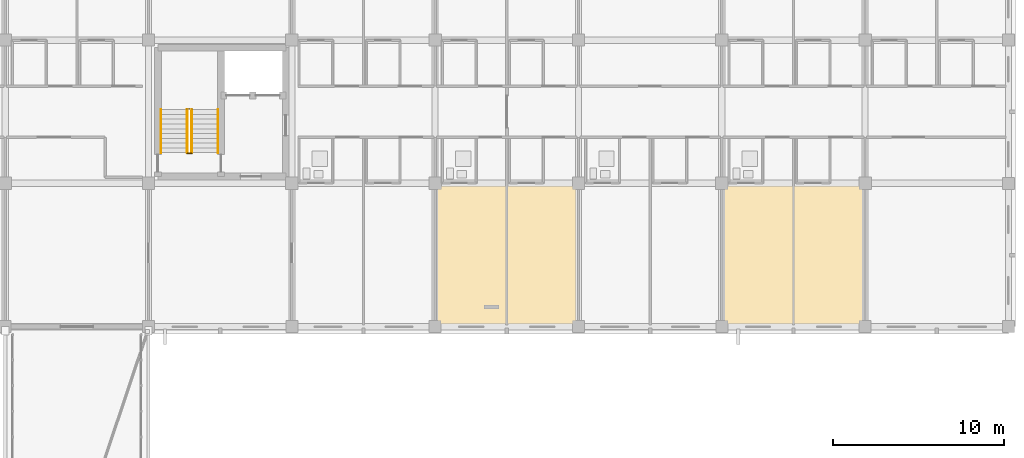
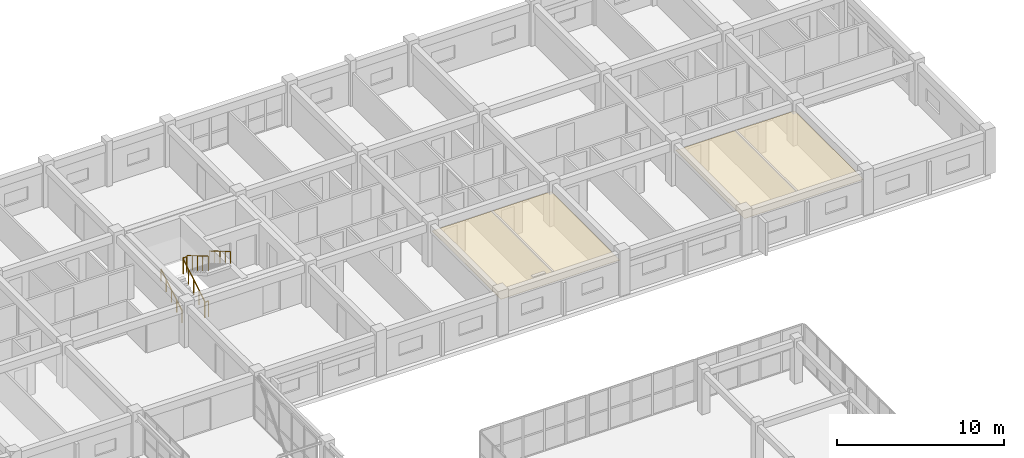
# One storey, part 146 of 148: 6 railings, 2 coverings.
"""IFC4 building model written with IfcOpenShell, lengths in metres."""

import ifcopenshell
import ifcopenshell.guid

model = None  # the IFC model being written
_history = None  # IfcOwnerHistory: only IFC2X3 demands one
_inside = {}  # id of a spatial element -> (the spatial element, [elements in it])
_under = {}  # id of a project, library or spatial element -> (it, [spatial elements below it])
_declared = {}  # id of a project -> (the project, [libraries it declares])
_typed = {}  # id of a type object -> (the type object, [elements of that type])
_made_of = {}  # id of a material, layer set ... -> (it, [elements and type objects made of it])


def new_model(schema):
    """Start an empty IFC model of exactly this schema.

    Asked for "IFC4X3", IfcOpenShell would pick the latest addendum, in which some entities
    have other attributes; the version numbers below select the first issue.
    IFC2X3 requires an IfcOwnerHistory on every rooted entity: one is made here for all.
    """
    global model, _history
    if schema == "IFC4X3":
        model = ifcopenshell.file(schema_version=(4, 3, 0, 0))
    else:
        model = ifcopenshell.file(schema=schema)
    _inside.clear()
    _under.clear()
    _declared.clear()
    _typed.clear()
    _made_of.clear()
    _history = None
    if model.schema == "IFC2X3":
        org = make("IfcOrganization", Name="unknown")
        user = make(
            "IfcPersonAndOrganization",
            ThePerson=make("IfcPerson", FamilyName="unknown"),
            TheOrganization=org,
        )
        app = make(
            "IfcApplication",
            ApplicationDeveloper=org,
            Version="unknown",
            ApplicationFullName="unknown",
            ApplicationIdentifier="unknown",
        )
        _history = make(
            "IfcOwnerHistory",
            OwningUser=user,
            OwningApplication=app,
            ChangeAction="ADDED",
            CreationDate=0,
        )
    return model


def make(cls, **values):
    """One entity of the class cls with the attributes given. An attribute that is None is left unset."""
    return model.create_entity(
        cls, **{name: value for name, value in values.items() if value is not None}
    )


def rooted(cls, **values):
    """An entity with a GlobalId (a new one), such as an element, a storey or a relation."""
    return make(cls, GlobalId=ifcopenshell.guid.new(), OwnerHistory=_history, **values)


def si_unit(unit_type, name, prefix=None):
    """IfcSIUnit, for example si_unit("LENGTHUNIT", "METRE", prefix="MILLI")."""
    return make("IfcSIUnit", UnitType=unit_type, Prefix=prefix, Name=name)


def assignment(units):
    """IfcUnitAssignment: the units of a project."""
    return None if units is None else make("IfcUnitAssignment", Units=units)


def point(xyz):
    """IfcCartesianPoint."""
    return None if xyz is None else make("IfcCartesianPoint", Coordinates=xyz)


def direction(xyz):
    """IfcDirection."""
    return None if xyz is None else make("IfcDirection", DirectionRatios=xyz)


def frame(location, z_axis=None, x_axis=None):
    """IfcAxis2Placement3D, a coordinate frame: its origin and axes. An axis left out is left unset."""
    return make(
        "IfcAxis2Placement3D",
        Location=point(location),
        Axis=direction(z_axis),
        RefDirection=direction(x_axis),
    )


def frame_2d(location, x_axis=None):
    """IfcAxis2Placement2D, a coordinate frame in the plane: its origin and x axis."""
    return make(
        "IfcAxis2Placement2D", Location=point(location), RefDirection=direction(x_axis)
    )


def origin():
    """The frame at (0, 0, 0) with its axes left unset."""
    return frame((0.0, 0.0, 0.0))


def origin_2d():
    """The frame at (0, 0) in the plane with its x axis left unset."""
    return frame_2d((0.0, 0.0))


def place(relative_to, where):
    """IfcLocalPlacement: puts the frame where relative to a parent placement (None: the world)."""
    return make(
        "IfcLocalPlacement", PlacementRelTo=relative_to, RelativePlacement=where
    )


def context(
    kind, dimensions, precision=None, world=None, true_north=None, identifier=None
):
    """IfcGeometricRepresentationContext, for example the 3D "Model" context."""
    return make(
        "IfcGeometricRepresentationContext",
        ContextIdentifier=identifier,
        ContextType=kind,
        CoordinateSpaceDimension=dimensions,
        Precision=precision,
        WorldCoordinateSystem=world,
        TrueNorth=true_north,
    )


def subcontext(parent, identifier, kind, view, scale=None):
    """IfcGeometricRepresentationSubContext, for example "Body" below "Model"."""
    return make(
        "IfcGeometricRepresentationSubContext",
        ContextIdentifier=identifier,
        ContextType=kind,
        ParentContext=parent,
        TargetScale=scale,
        TargetView=view,
    )


def project(units=None, contexts=None):
    """IfcProject with its units and contexts."""
    return rooted(
        "IfcProject",
        Name="project",
        RepresentationContexts=contexts,
        UnitsInContext=assignment(units),
    )


def spatial(cls, under=None, at=None, **own):
    """A site, building, storey or space (cls), placed at a placement, below another one or the project."""
    s = rooted(cls, ObjectPlacement=at, **own)
    if under is not None:
        _under.setdefault(under.id(), (under, []))[1].append(s)
    return s


def polyline(points):
    """IfcPolyline through the points."""
    return make("IfcPolyline", Points=[point(p) for p in points])


def profile(cls, at=None, kind="AREA", **sizes):
    """A parametric profile (cls). Its sizes go by their IFC names, for example OverallWidth=200.0."""
    return make(cls, ProfileType=kind, Position=at, **sizes)


def circle(**sizes):
    """IfcCircleProfileDef."""
    return profile("IfcCircleProfileDef", **sizes)


def outline(outer, holes=None, kind="AREA"):
    """IfcArbitraryClosedProfileDef: a profile drawn as a closed curve; with holes, ...WithVoids."""
    if holes is None:
        return make("IfcArbitraryClosedProfileDef", ProfileType=kind, OuterCurve=outer)
    return make(
        "IfcArbitraryProfileDefWithVoids",
        ProfileType=kind,
        OuterCurve=outer,
        InnerCurves=holes,
    )


def extrude(swept, where, along, depth):
    """IfcExtrudedAreaSolid: the profile swept, set in the frame where, extruded along a direction by depth."""
    return make(
        "IfcExtrudedAreaSolid",
        SweptArea=swept,
        Position=where,
        ExtrudedDirection=direction(along),
        Depth=depth,
    )


def shape(context_of_items, identifier, shape_type, items):
    """IfcShapeRepresentation: the items that make up one representation, for example the "Body"."""
    return make(
        "IfcShapeRepresentation",
        ContextOfItems=context_of_items,
        RepresentationIdentifier=identifier,
        RepresentationType=shape_type,
        Items=items,
    )


def material(Name=None, Category=None):
    """IfcMaterial."""
    return make("IfcMaterial", Name=Name, Category=Category)


def layer(
    of_material, thickness, ventilated=None, Name=None, Category=None, Priority=None
):
    """IfcMaterialLayer: one layer of a wall or slab, of a material (None: an air gap)."""
    return make(
        "IfcMaterialLayer",
        Material=of_material,
        LayerThickness=thickness,
        IsVentilated=ventilated,
        Name=Name,
        Category=Category,
        Priority=Priority,
    )


def layer_set(layers, Name=None):
    """IfcMaterialLayerSet."""
    return make("IfcMaterialLayerSet", MaterialLayers=layers, LayerSetName=Name)


def made_of(thing, what):
    """Note that an element or type object is made of a material, layer set ...; save() writes the relation."""
    if what is not None:
        _made_of.setdefault(what.id(), (what, []))[1].append(thing)
    return thing


def type_object(cls, material=None, **own):
    """A type object (cls), such as IfcWallType, which elements share."""
    return made_of(rooted(cls, **own), material)


def element(
    cls,
    number,
    at=None,
    inside=None,
    cuts=None,
    type_object=None,
    material=None,
    context=None,
    identifier="Body",
    shape_type=None,
    held_by="IfcProductDefinitionShape",
    body=None,
    shapes=None,
    **own,
):
    """One element of the class cls, such as IfcWall. Its Tag is "e" and its number.

    at: its placement. inside: the storey or other place that contains it. cuts: it is an
    opening in that element (IfcRelVoidsElement). A single representation is given by context,
    identifier, shape_type and body (its items); several are given by shapes. held_by: the class
    of the entity that holds the representations. save() writes the other relations.
    """
    e = rooted(cls, Tag="e%d" % number, ObjectPlacement=at, **own)
    if body is not None:
        shapes = [shape(context, identifier, shape_type, body)]
    if shapes is not None:
        e.Representation = make(held_by, Representations=shapes)
    if inside is not None:
        _inside.setdefault(inside.id(), (inside, []))[1].append(e)
    if cuts is not None:
        rooted(
            "IfcRelVoidsElement", RelatingBuildingElement=cuts, RelatedOpeningElement=e
        )
    if type_object is not None:
        _typed.setdefault(type_object.id(), (type_object, []))[1].append(e)
    return made_of(e, material)


def aggregate(whole, parts):
    """IfcRelAggregates: a whole, such as a stair, and the parts it consists of."""
    return rooted("IfcRelAggregates", RelatingObject=whole, RelatedObjects=parts)


def save(model, path):
    """Write the relations noted so far, then the file.

    IfcRelAggregates (storeys below a building ...), IfcRelContainedInSpatialStructure (elements
    in a storey), IfcRelDefinesByType, IfcRelAssociatesMaterial and IfcRelDeclares: one each for
    every whole, place, type object, material and project.
    """
    for whole, parts in _under.values():
        aggregate(whole, parts)
    for where, things in _inside.values():
        rooted(
            "IfcRelContainedInSpatialStructure",
            RelatedElements=things,
            RelatingStructure=where,
        )
    for kind, things in _typed.values():
        rooted("IfcRelDefinesByType", RelatedObjects=things, RelatingType=kind)
    for what, things in _made_of.values():
        rooted("IfcRelAssociatesMaterial", RelatedObjects=things, RelatingMaterial=what)
    for by, libraries in _declared.values():
        rooted("IfcRelDeclares", RelatingContext=by, RelatedDefinitions=libraries)
    model.write(path)


model = new_model("IFC4")

# Units and contexts
model_context = context("Model", 3, precision=1e-05, world=origin(), true_north=direction((0.0, 1.0)))
body_context = subcontext(model_context, "Body", "Model", "MODEL_VIEW")
ifc_project = project(units=[si_unit("LENGTHUNIT", "METRE"), si_unit("AREAUNIT", "SQUARE_METRE"), si_unit("VOLUMEUNIT", "CUBIC_METRE"), si_unit("PLANEANGLEUNIT", "RADIAN"), si_unit("MASSUNIT", "GRAM", prefix="KILO")], contexts=[model_context])

# Site, building, storey
site_placement = place(None, origin())
site = spatial("IfcSite", under=ifc_project, at=site_placement, CompositionType="ELEMENT")
building_placement = place(site_placement, origin())
building = spatial("IfcBuilding", under=site, at=building_placement, Name="Trelvath General Hospital", CompositionType="ELEMENT")
storey_placement = place(building_placement, frame((0.0, 0.0, 12.89990234375)))
storey = spatial("IfcBuildingStorey", under=building, at=storey_placement, Name="L03", CompositionType="ELEMENT", Elevation=12.89990234375)

# Coverings
ifc_material_1 = material(Name="Hygienic acoustic ceiling tile")
ifc_layer = layer(ifc_material_1, 0.02490234375)
ifc_layer_set = layer_set([ifc_layer], Name="Hygienic acoustic ceiling tile")
covering_type = type_object("IfcCoveringType", Name="Ceiling ClinicalAcoustic", PredefinedType="CEILING", material=ifc_layer_set)
covering_1_placement = place(storey_placement, frame((0.0, 0.0, 2.300048828125)))
element("IfcCovering", 1, at=covering_1_placement, inside=storey, type_object=covering_type, Name="Clinical Acoustic Ceiling L03-47", PredefinedType="CEILING", context=body_context, shape_type="SweptSolid", body=[
    extrude(outline(polyline([(100.89990234375, 92.5), (109.10009765625, 92.5), (109.10009765625, 100.719970703125), (100.89990234375, 100.719970703125), (100.89990234375, 92.5)])), origin(), (0.0, 0.0, 1.0), 0.025146484375),
])
covering_2_placement = place(storey_placement, frame((0.0, 0.0, 2.300048828125)))
element("IfcCovering", 2, at=covering_2_placement, inside=storey, type_object=covering_type, Name="Clinical Acoustic Ceiling L03-48", PredefinedType="CEILING", context=body_context, shape_type="SweptSolid", body=[
    extrude(outline(polyline([(117.699951171875, 92.5), (125.89990234375, 92.5), (125.89990234375, 100.719970703125), (117.699951171875, 100.719970703125), (117.699951171875, 92.5)])), origin(), (0.0, 0.0, 1.0), 0.025146484375),
])

# Railings
ifc_material_2 = material(Name="Architectural painted steel", Category="steel")
railing_type_1 = type_object("IfcRailingType", Name="Guardrail Terrace1150", PredefinedType="GUARDRAIL", material=ifc_material_2)
railing_1_placement = place(storey_placement, frame((86.27001953125, 102.56005859375, 0.0)))
element("IfcRailing", 3, at=railing_1_placement, inside=storey, type_object=railing_type_1, Name="Stair Well Edge Guard C2 L03 66", PredefinedType="GUARDRAIL", context=body_context, shape_type="SweptSolid", body=[
    extrude(circle(Radius=0.02392578125, at=origin_2d()), frame((0.0, 0.0, 1.1259765625), z_axis=(1.0, 0.0, 0.0), x_axis=(0.0, 1.0, 0.0)), (0.0, 0.0, 1.0), 0.260009765625),
    extrude(circle(Radius=0.02099609375, at=origin_2d()), origin(), (0.0, 0.0, 1.0), 1.099853515625),
    extrude(circle(Radius=0.02099609375, at=origin_2d()), frame((0.260009765625, 0.0, 0.0)), (0.0, 0.0, 1.0), 1.099853515625),
])
railing_2_placement = place(storey_placement, frame((86.530029296875, 105.1201171875, 1.815185546875)))
element("IfcRailing", 4, at=railing_2_placement, inside=storey, type_object=railing_type_1, Name="Stair Rail ST2 L03 F2 L 68", PredefinedType="GUARDRAIL", context=body_context, shape_type="SweptSolid", body=[
    extrude(circle(Radius=0.02392578125, at=origin_2d()), frame((0.0, 0.0, 1.076171875), z_axis=(0.0, -0.861560626758, 0.507654692109), x_axis=(1.0, 0.0, 0.0)), (0.0, 0.0, 1.0), 2.925048828125),
    extrude(circle(Radius=0.02099609375, at=origin_2d()), origin(), (0.0, 0.0, 1.0), 1.050048828125),
    extrude(circle(Radius=0.02099609375, at=origin_2d()), frame((0.0, -0.6298828125, 0.37109375)), (0.0, 0.0, 1.0), 1.050048828125),
    extrude(circle(Radius=0.02099609375, at=origin_2d()), frame((0.0, -1.260009765625, 0.742431640625)), (0.0, 0.0, 1.0), 1.050048828125),
    extrude(circle(Radius=0.02099609375, at=origin_2d()), frame((0.0, -1.89013671875, 1.11376953125)), (0.0, 0.0, 1.0), 1.050048828125),
    extrude(circle(Radius=0.02099609375, at=origin_2d()), frame((0.0, -2.52001953125, 1.48486328125)), (0.0, 0.0, 1.0), 1.050048828125),
])
railing_3_placement = place(storey_placement, frame((86.27001953125, 102.60009765625, 0.1650390625)))
element("IfcRailing", 5, at=railing_3_placement, inside=storey, type_object=railing_type_1, Name="Stair Rail ST2 L03 F1 R 69", PredefinedType="GUARDRAIL", context=body_context, shape_type="SweptSolid", body=[
    extrude(circle(Radius=0.02392578125, at=origin_2d()), frame((0.0, 0.0, 1.076171875), z_axis=(0.0, 0.86152411907, 0.507716645641), x_axis=(-1.0, 0.0, 0.0)), (0.0, 0.0, 1.0), 2.925048828125),
    extrude(circle(Radius=0.02099609375, at=origin_2d()), origin(), (0.0, 0.0, 1.0), 1.050048828125),
    extrude(circle(Radius=0.02099609375, at=origin_2d()), frame((0.0, 0.6298828125, 0.371337890625)), (0.0, 0.0, 1.0), 1.050048828125),
    extrude(circle(Radius=0.02099609375, at=origin_2d()), frame((0.0, 1.260009765625, 0.74267578125)), (0.0, 0.0, 1.0), 1.050048828125),
    extrude(circle(Radius=0.02099609375, at=origin_2d()), frame((0.0, 1.89013671875, 1.11376953125)), (0.0, 0.0, 1.0), 1.050048828125),
    extrude(circle(Radius=0.02099609375, at=origin_2d()), frame((0.0, 2.52001953125, 1.485107421875)), (0.0, 0.0, 1.0), 1.050048828125),
])
railing_4_placement = place(storey_placement, frame((86.27001953125, 105.159912109375, 1.650146484375)))
element("IfcRailing", 6, at=railing_4_placement, inside=storey, type_object=railing_type_1, Name="Half-Landing Well Guard ST2 L03 71", PredefinedType="GUARDRAIL", context=body_context, shape_type="SweptSolid", body=[
    extrude(circle(Radius=0.02392578125, at=origin_2d()), frame((0.0, 0.0, 1.1259765625), z_axis=(1.0, 0.0, 0.0), x_axis=(0.0, 1.0, 0.0)), (0.0, 0.0, 1.0), 0.260009765625),
    extrude(circle(Radius=0.02099609375, at=origin_2d()), origin(), (0.0, 0.0, 1.0), 1.099853515625),
    extrude(circle(Radius=0.02099609375, at=origin_2d()), frame((0.260009765625, 0.0, 0.0)), (0.0, 0.0, 1.0), 1.099853515625),
])
ifc_material_3 = material(Name="Brushed stainless steel", Category="steel")
railing_type_2 = type_object("IfcRailingType", Name="Handrail Stair900", PredefinedType="HANDRAIL", material=ifc_material_3)
railing_5_placement = place(storey_placement, frame((84.72998046875, 102.60009765625, 0.1650390625)))
element("IfcRailing", 7, at=railing_5_placement, inside=storey, type_object=railing_type_2, Name="Stair Rail ST2 L03 F1 L 67", PredefinedType="HANDRAIL", context=body_context, shape_type="SweptSolid", body=[
    extrude(circle(Radius=0.02392578125, at=origin_2d()), frame((0.0, 0.0, 0.8759765625), z_axis=(0.0, 0.86152411907, 0.507716645641), x_axis=(-1.0, 0.0, 0.0)), (0.0, 0.0, 1.0), 2.925048828125),
    extrude(circle(Radius=0.02099609375, at=origin_2d()), origin(), (0.0, 0.0, 1.0), 0.849853515625),
    extrude(circle(Radius=0.02099609375, at=origin_2d()), frame((0.0, 0.6298828125, 0.371337890625)), (0.0, 0.0, 1.0), 0.849853515625),
    extrude(circle(Radius=0.02099609375, at=origin_2d()), frame((0.0, 1.260009765625, 0.74267578125)), (0.0, 0.0, 1.0), 0.849853515625),
    extrude(circle(Radius=0.02099609375, at=origin_2d()), frame((0.0, 1.89013671875, 1.11376953125)), (0.0, 0.0, 1.0), 0.849853515625),
    extrude(circle(Radius=0.02099609375, at=origin_2d()), frame((0.0, 2.52001953125, 1.485107421875)), (0.0, 0.0, 1.0), 0.849853515625),
])
railing_6_placement = place(storey_placement, frame((88.070068359375, 105.1201171875, 1.815185546875)))
element("IfcRailing", 8, at=railing_6_placement, inside=storey, type_object=railing_type_2, Name="Stair Rail ST2 L03 F2 R 70", PredefinedType="HANDRAIL", context=body_context, shape_type="SweptSolid", body=[
    extrude(circle(Radius=0.02392578125, at=origin_2d()), frame((0.0, 0.0, 0.8759765625), z_axis=(0.0, -0.861560626758, 0.507654692109), x_axis=(1.0, 0.0, 0.0)), (0.0, 0.0, 1.0), 2.925048828125),
    extrude(circle(Radius=0.02099609375, at=origin_2d()), origin(), (0.0, 0.0, 1.0), 0.849853515625),
    extrude(circle(Radius=0.02099609375, at=origin_2d()), frame((0.0, -0.6298828125, 0.37109375)), (0.0, 0.0, 1.0), 0.849853515625),
    extrude(circle(Radius=0.02099609375, at=origin_2d()), frame((0.0, -1.260009765625, 0.742431640625)), (0.0, 0.0, 1.0), 0.849853515625),
    extrude(circle(Radius=0.02099609375, at=origin_2d()), frame((0.0, -1.89013671875, 1.11376953125)), (0.0, 0.0, 1.0), 0.849853515625),
    extrude(circle(Radius=0.02099609375, at=origin_2d()), frame((0.0, -2.52001953125, 1.48486328125)), (0.0, 0.0, 1.0), 0.849853515625),
])

save(model, "model.ifc")
